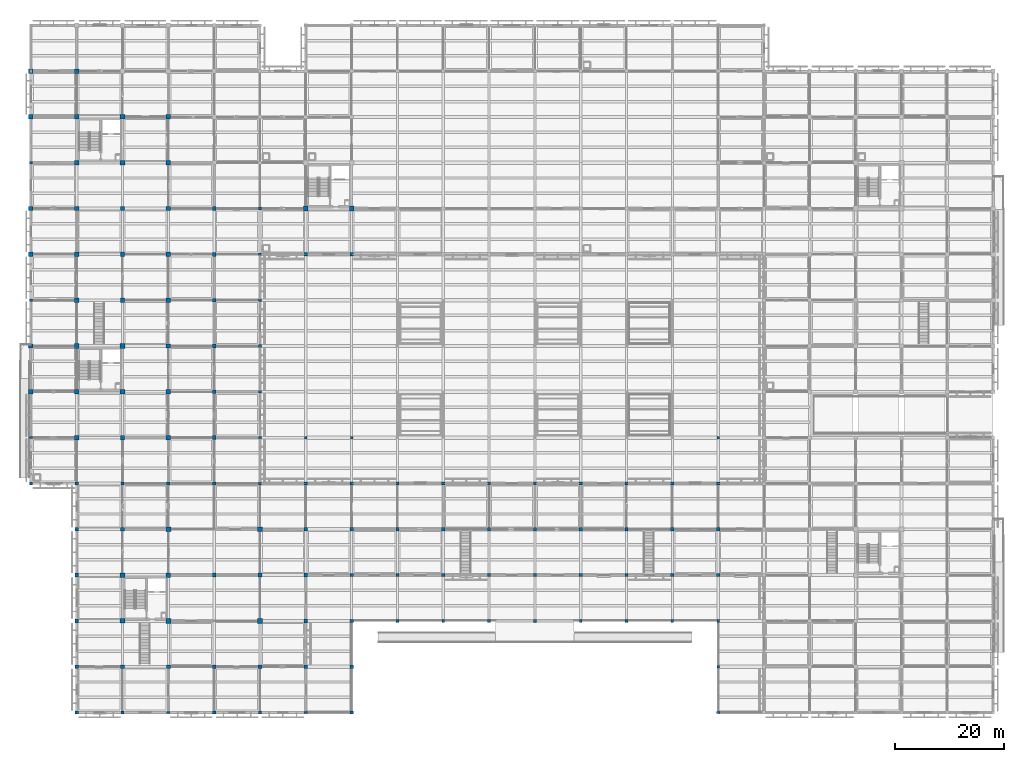
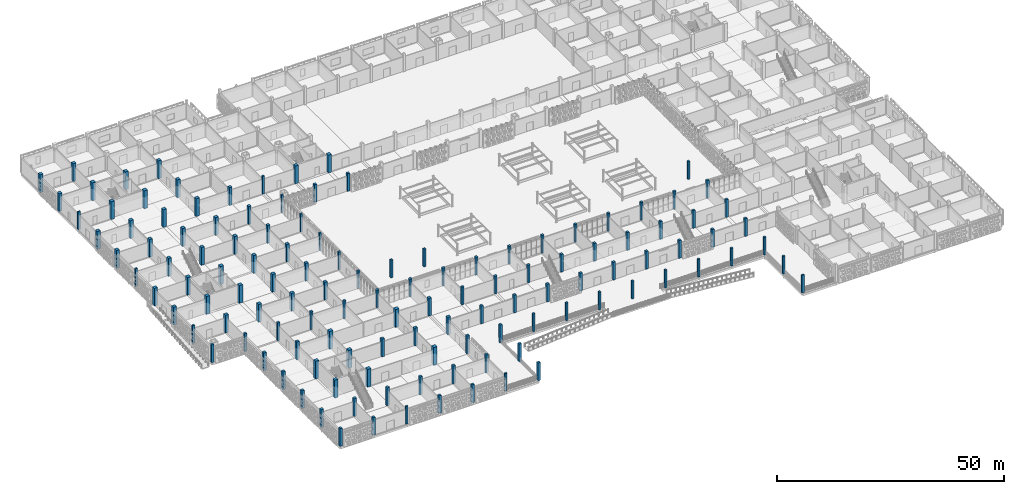
# One storey, part 1 of 129: 128 columns.
"""IFC4 building model written with IfcOpenShell, lengths in metres."""

from ifc_helpers import new_model, si_unit, direction, frame, origin, origin_2d, place, context, subcontext, project, spatial, rectangle, extrude, material, material_profile, profile_set, type_object, element, save


model = new_model("IFC4")

# Units and contexts
model_context = context("Model", 3, precision=1e-05, world=origin(), true_north=direction((0.0, 1.0)))
body_context = subcontext(model_context, "Body", "Model", "MODEL_VIEW")
ifc_project = project(units=[si_unit("LENGTHUNIT", "METRE"), si_unit("AREAUNIT", "SQUARE_METRE"), si_unit("VOLUMEUNIT", "CUBIC_METRE"), si_unit("PLANEANGLEUNIT", "RADIAN"), si_unit("MASSUNIT", "GRAM", prefix="KILO")], contexts=[model_context])

# Site, building, storey
site_placement = place(None, origin())
site = spatial("IfcSite", under=ifc_project, at=site_placement, CompositionType="ELEMENT")
building_placement = place(site_placement, origin())
building = spatial("IfcBuilding", under=site, at=building_placement, Name="Varnapada Polytechnic", CompositionType="ELEMENT")
storey_placement = place(building_placement, origin())
storey = spatial("IfcBuildingStorey", under=building, at=storey_placement, Name="L00", CompositionType="ELEMENT", Elevation=0.0)

# Columns
ifc_material = material(Name="Concrete C40/50", Category="concrete")
ifc_material_profile_1 = material_profile(ifc_material, rectangle(XDim=0.85009765625, YDim=0.85009765625, at=origin_2d()), Name="RC 850x850")
ifc_profile_set_1 = profile_set([ifc_material_profile_1], Name="Concrete C40/50")
column_type_1 = type_object("IfcColumnType", Name="Column C-01 (RC 850x850)", PredefinedType="COLUMN", material=ifc_profile_set_1)
for number, where, z_axis, x_axis, name in (
    (1, (8.39990234375, 58.800048828125, 0.0), (0.0, 0.0, 1.0), (1.0, 0.0, 0.0), "L00 column 2/8"),
    (2, (8.39990234375, 67.199951171875, 0.0), (0.0, 0.0, 1.0), (1.0, 0.0, 0.0), "L00 column 2/9"),
    (3, (8.39990234375, 100.800048828125, 0.0), (0.0, 0.0, 1.0), (1.0, 0.0, 0.0), "L00 column 2/13"),
    (4, (8.39990234375, 109.199951171875, 0.0), (0.0, 0.0, 1.0), (1.0, 0.0, 0.0), "L00 column 2/14"),
    (5, (16.800048828125, 16.800048828125, 0.0), (0.0, 0.0, 1.0), (1.0, 0.0, 0.0), "L00 column 3/3"),
    (6, (16.800048828125, 25.199951171875, 0.0), (0.0, 0.0, 1.0), (1.0, 0.0, 0.0), "L00 column 3/4"),
    (7, (16.800048828125, 58.800048828125, 0.0), (0.0, 0.0, 1.0), (1.0, 0.0, 0.0), "L00 column 3/8"),
    (8, (16.800048828125, 67.199951171875, 0.0), (0.0, 0.0, 1.0), (1.0, 0.0, 0.0), "L00 column 3/9"),
    (9, (16.800048828125, 100.800048828125, 0.0), (0.0, 0.0, 1.0), (1.0, 0.0, 0.0), "L00 column 3/13"),
    (10, (16.800048828125, 109.199951171875, 0.0), (0.0, 0.0, 1.0), (1.0, 0.0, 0.0), "L00 column 3/14"),
    (11, (25.199951171875, 25.199951171875, 0.0), (0.0, 0.0, 1.0), (1.0, 0.0, 0.0), "L00 column 4/4"),
    (12, (50.39990234375, 92.39990234375, 0.0), (0.0, 0.0, 1.0), (1.0, 0.0, 0.0), "L00 column 7/12"),
    (13, (58.800048828125, 92.39990234375, 0.0), (0.0, 0.0, 1.0), (1.0, 0.0, 0.0), "L00 column 8/12"),
):
    element("IfcColumn", number, at=place(storey_placement, frame(where, z_axis=z_axis, x_axis=x_axis)), inside=storey, type_object=column_type_1, Name=name, PredefinedType="COLUMN", context=body_context, shape_type="SweptSolid", body=[
        extrude(rectangle(XDim=0.85009765625, YDim=0.85009765625, at=origin_2d()), origin(), (0.0, 0.0, 1.0), 4.800048828125),
    ])
ifc_material_profile_2 = material_profile(ifc_material, rectangle(XDim=0.60009765625, YDim=0.39990234375, at=origin_2d()), Name="RC 600x400")
ifc_profile_set_2 = profile_set([ifc_material_profile_2], Name="Concrete C40/50")
column_type_2 = type_object("IfcColumnType", Name="Column C-05 (RC 600x400)", PredefinedType="PILASTER", material=ifc_profile_set_2)
for number, where, z_axis, x_axis, name in (
    (14, (0.0, 50.39990234375, 0.0), (0.0, 0.0, 1.0), (1.0, 0.0, 0.0), "L00 column 1/7"),
    (15, (0.0, 75.60009765625, 0.0), (0.0, 0.0, 1.0), (1.0, 0.0, 0.0), "L00 column 1/10"),
    (16, (0.0, 100.800048828125, 0.0), (0.0, 0.0, 1.0), (1.0, 0.0, 0.0), "L00 column 1/13"),
    (17, (25.199951171875, 0.0, 0.0), (0.0, 0.0, 1.0), (1.0, 0.0, 0.0), "L00 column 4/1"),
    (18, (50.39990234375, 0.0, 0.0), (0.0, 0.0, 1.0), (1.0, 0.0, 0.0), "L00 column 7/1"),
    (19, (126.0, 0.0, 0.0), (0.0, 0.0, 1.0), (1.0, 0.0, 0.0), "L00 column 16/1"),
):
    element("IfcColumn", number, at=place(storey_placement, frame(where, z_axis=z_axis, x_axis=x_axis)), inside=storey, type_object=column_type_2, Name=name, PredefinedType="PILASTER", context=body_context, shape_type="SweptSolid", body=[
        extrude(rectangle(XDim=0.60009765625, YDim=0.39990234375, at=origin_2d()), origin(), (0.0, 0.0, 1.0), 4.800048828125),
    ])
ifc_material_profile_3 = material_profile(ifc_material, rectangle(XDim=0.800048828125, YDim=0.800048828125, at=origin_2d()), Name="RC 800x800")
ifc_profile_set_3 = profile_set([ifc_material_profile_3], Name="Concrete C40/50")
column_type_3 = type_object("IfcColumnType", Name="Column C-16 (RC 800x800)", PredefinedType="COLUMN", material=ifc_profile_set_3)
for number, where, z_axis, x_axis, name in (
    (20, (0.0, 58.800048828125, 0.0), (0.0, 0.0, 1.0), (1.0, 0.0, 0.0), "L00 column 1/8"),
    (21, (0.0, 67.199951171875, 0.0), (0.0, 0.0, 1.0), (1.0, 0.0, 0.0), "L00 column 1/9"),
    (22, (0.0, 84.0, 0.0), (0.0, 0.0, 1.0), (1.0, 0.0, 0.0), "L00 column 1/11"),
    (23, (0.0, 92.39990234375, 0.0), (0.0, 0.0, 1.0), (1.0, 0.0, 0.0), "L00 column 1/12"),
    (24, (0.0, 109.199951171875, 0.0), (0.0, 0.0, 1.0), (1.0, 0.0, 0.0), "L00 column 1/14"),
    (25, (0.0, 117.60009765625, 0.0), (0.0, 0.0, 1.0), (1.0, 0.0, 0.0), "L00 column 1/15"),
    (26, (8.39990234375, 50.39990234375, 0.0), (0.0, 0.0, 1.0), (1.0, 0.0, 0.0), "L00 column 2/7"),
    (27, (8.39990234375, 75.60009765625, 0.0), (0.0, 0.0, 1.0), (1.0, 0.0, 0.0), "L00 column 2/10"),
    (28, (8.39990234375, 84.0, 0.0), (0.0, 0.0, 1.0), (1.0, 0.0, 0.0), "L00 column 2/11"),
    (29, (8.39990234375, 92.39990234375, 0.0), (0.0, 0.0, 1.0), (1.0, 0.0, 0.0), "L00 column 2/12"),
    (30, (8.39990234375, 117.60009765625, 0.0), (0.0, 0.0, 1.0), (1.0, 0.0, 0.0), "L00 column 2/15"),
    (31, (16.800048828125, 50.39990234375, 0.0), (0.0, 0.0, 1.0), (1.0, 0.0, 0.0), "L00 column 3/7"),
    (32, (16.800048828125, 75.60009765625, 0.0), (0.0, 0.0, 1.0), (1.0, 0.0, 0.0), "L00 column 3/10"),
    (33, (16.800048828125, 84.0, 0.0), (0.0, 0.0, 1.0), (1.0, 0.0, 0.0), "L00 column 3/11"),
    (34, (16.800048828125, 92.39990234375, 0.0), (0.0, 0.0, 1.0), (1.0, 0.0, 0.0), "L00 column 3/12"),
    (35, (25.199951171875, 50.39990234375, 0.0), (0.0, 0.0, 1.0), (1.0, 0.0, 0.0), "L00 column 4/7"),
    (36, (25.199951171875, 58.800048828125, 0.0), (0.0, 0.0, 1.0), (1.0, 0.0, 0.0), "L00 column 4/8"),
    (37, (25.199951171875, 67.199951171875, 0.0), (0.0, 0.0, 1.0), (1.0, 0.0, 0.0), "L00 column 4/9"),
    (38, (25.199951171875, 75.60009765625, 0.0), (0.0, 0.0, 1.0), (1.0, 0.0, 0.0), "L00 column 4/10"),
    (39, (25.199951171875, 84.0, 0.0), (0.0, 0.0, 1.0), (1.0, 0.0, 0.0), "L00 column 4/11"),
    (40, (25.199951171875, 92.39990234375, 0.0), (0.0, 0.0, 1.0), (1.0, 0.0, 0.0), "L00 column 4/12"),
    (41, (25.199951171875, 100.800048828125, 0.0), (0.0, 0.0, 1.0), (1.0, 0.0, 0.0), "L00 column 4/13"),
    (42, (25.199951171875, 109.199951171875, 0.0), (0.0, 0.0, 1.0), (1.0, 0.0, 0.0), "L00 column 4/14"),
):
    element("IfcColumn", number, at=place(storey_placement, frame(where, z_axis=z_axis, x_axis=x_axis)), inside=storey, type_object=column_type_3, Name=name, PredefinedType="COLUMN", context=body_context, shape_type="SweptSolid", body=[
        extrude(rectangle(XDim=0.800048828125, YDim=0.800048828125, at=origin_2d()), origin(), (0.0, 0.0, 1.0), 4.800048828125),
    ])
ifc_material_profile_4 = material_profile(ifc_material, rectangle(XDim=0.699951171875, YDim=0.699951171875, at=origin_2d()), Name="RC 700x700")
ifc_profile_set_4 = profile_set([ifc_material_profile_4], Name="Concrete C40/50")
column_type_4 = type_object("IfcColumnType", Name="Column C-17 (RC 700x700)", PredefinedType="COLUMN", material=ifc_profile_set_4)
for number, where, z_axis, x_axis, name in (
    (43, (8.39990234375, 8.39990234375, 0.0), (0.0, 0.0, 1.0), (1.0, 0.0, 0.0), "L00 column 2/2"),
    (44, (8.39990234375, 16.800048828125, 0.0), (0.0, 0.0, 1.0), (1.0, 0.0, 0.0), "L00 column 2/3"),
    (45, (8.39990234375, 25.199951171875, 0.0), (0.0, 0.0, 1.0), (1.0, 0.0, 0.0), "L00 column 2/4"),
    (46, (8.39990234375, 33.60009765625, 0.0), (0.0, 0.0, 1.0), (1.0, 0.0, 0.0), "L00 column 2/5"),
    (47, (16.800048828125, 8.39990234375, 0.0), (0.0, 0.0, 1.0), (1.0, 0.0, 0.0), "L00 column 3/2"),
    (48, (16.800048828125, 33.60009765625, 0.0), (0.0, 0.0, 1.0), (1.0, 0.0, 0.0), "L00 column 3/5"),
    (49, (25.199951171875, 8.39990234375, 0.0), (0.0, 0.0, 1.0), (1.0, 0.0, 0.0), "L00 column 4/2"),
    (50, (33.60009765625, 8.39990234375, 0.0), (0.0, 0.0, 1.0), (1.0, 0.0, 0.0), "L00 column 5/2"),
    (51, (33.60009765625, 25.199951171875, 0.0), (0.0, 0.0, 1.0), (1.0, 0.0, 0.0), "L00 column 5/4"),
    (52, (33.60009765625, 50.39990234375, 0.0), (0.0, 0.0, 1.0), (1.0, 0.0, 0.0), "L00 column 5/7"),
    (53, (33.60009765625, 58.800048828125, 0.0), (0.0, 0.0, 1.0), (1.0, 0.0, 0.0), "L00 column 5/8"),
    (54, (33.60009765625, 67.199951171875, 0.0), (0.0, 0.0, 1.0), (1.0, 0.0, 0.0), "L00 column 5/9"),
    (55, (33.60009765625, 75.60009765625, 0.0), (0.0, 0.0, 1.0), (1.0, 0.0, 0.0), "L00 column 5/10"),
    (56, (33.60009765625, 84.0, 0.0), (0.0, 0.0, 1.0), (1.0, 0.0, 0.0), "L00 column 5/11"),
    (57, (33.60009765625, 92.39990234375, 0.0), (0.0, 0.0, 1.0), (1.0, 0.0, 0.0), "L00 column 5/12"),
    (58, (42.0, 8.39990234375, 0.0), (0.0, 0.0, 1.0), (1.0, 0.0, 0.0), "L00 column 6/2"),
    (59, (42.0, 25.199951171875, 0.0), (0.0, 0.0, 1.0), (1.0, 0.0, 0.0), "L00 column 6/4"),
    (60, (50.39990234375, 8.39990234375, 0.0), (0.0, 0.0, 1.0), (1.0, 0.0, 0.0), "L00 column 7/2"),
    (61, (50.39990234375, 16.800048828125, 0.0), (0.0, 0.0, 1.0), (1.0, 0.0, 0.0), "L00 column 7/3"),
    (62, (50.39990234375, 25.199951171875, 0.0), (0.0, 0.0, 1.0), (1.0, 0.0, 0.0), "L00 column 7/4"),
    (63, (50.39990234375, 33.60009765625, 0.0), (0.0, 0.0, 1.0), (1.0, 0.0, 0.0), "L00 column 7/5"),
):
    element("IfcColumn", number, at=place(storey_placement, frame(where, z_axis=z_axis, x_axis=x_axis)), inside=storey, type_object=column_type_4, Name=name, PredefinedType="COLUMN", context=body_context, shape_type="SweptSolid", body=[
        extrude(rectangle(XDim=0.699951171875, YDim=0.699951171875, at=origin_2d()), origin(), (0.0, 0.0, 1.0), 4.800048828125),
    ])
ifc_material_profile_5 = material_profile(ifc_material, rectangle(XDim=0.60009765625, YDim=0.60009765625, at=origin_2d()), Name="RC 600x600")
ifc_profile_set_5 = profile_set([ifc_material_profile_5], Name="Concrete C40/50")
column_type_5 = type_object("IfcColumnType", Name="Column C-18 (RC 600x600)", PredefinedType="COLUMN", material=ifc_profile_set_5)
for number, where, z_axis, x_axis, name in (
    (64, (0.0, 42.0, 0.0), (0.0, 0.0, 1.0), (1.0, 0.0, 0.0), "L00 column 1/6"),
    (65, (8.39990234375, 0.0, 0.0), (0.0, 0.0, 1.0), (1.0, 0.0, 0.0), "L00 column 2/1"),
    (66, (8.39990234375, 42.0, 0.0), (0.0, 0.0, 1.0), (1.0, 0.0, 0.0), "L00 column 2/6"),
    (67, (16.800048828125, 0.0, 0.0), (0.0, 0.0, 1.0), (1.0, 0.0, 0.0), "L00 column 3/1"),
    (68, (16.800048828125, 42.0, 0.0), (0.0, 0.0, 1.0), (1.0, 0.0, 0.0), "L00 column 3/6"),
    (69, (25.199951171875, 42.0, 0.0), (0.0, 0.0, 1.0), (1.0, 0.0, 0.0), "L00 column 4/6"),
    (70, (33.60009765625, 0.0, 0.0), (0.0, 0.0, 1.0), (1.0, 0.0, 0.0), "L00 column 5/1"),
    (71, (33.60009765625, 42.0, 0.0), (0.0, 0.0, 1.0), (1.0, 0.0, 0.0), "L00 column 5/6"),
    (72, (42.0, 0.0, 0.0), (0.0, 0.0, 1.0), (1.0, 0.0, 0.0), "L00 column 6/1"),
    (73, (42.0, 42.0, 0.0), (0.0, 0.0, 1.0), (1.0, 0.0, 0.0), "L00 column 6/6"),
    (74, (50.39990234375, 42.0, 0.0), (0.0, 0.0, 1.0), (1.0, 0.0, 0.0), "L00 column 7/6"),
    (75, (50.39990234375, 84.0, 0.0), (0.0, 0.0, 1.0), (1.0, 0.0, 0.0), "L00 column 7/11"),
    (76, (58.800048828125, 0.0, 0.0), (0.0, 0.0, 1.0), (1.0, 0.0, 0.0), "L00 column 8/1"),
    (77, (58.800048828125, 8.39990234375, 0.0), (0.0, 0.0, 1.0), (1.0, 0.0, 0.0), "L00 column 8/2"),
    (78, (58.800048828125, 16.800048828125, 0.0), (0.0, 0.0, 1.0), (1.0, 0.0, 0.0), "L00 column 8/3"),
    (79, (58.800048828125, 25.199951171875, 0.0), (0.0, 0.0, 1.0), (1.0, 0.0, 0.0), "L00 column 8/4"),
    (80, (58.800048828125, 33.60009765625, 0.0), (0.0, 0.0, 1.0), (1.0, 0.0, 0.0), "L00 column 8/5"),
    (81, (58.800048828125, 42.0, 0.0), (0.0, 0.0, 1.0), (1.0, 0.0, 0.0), "L00 column 8/6"),
    (82, (58.800048828125, 84.0, 0.0), (0.0, 0.0, 1.0), (1.0, 0.0, 0.0), "L00 column 8/11"),
    (83, (67.199951171875, 25.199951171875, 0.0), (0.0, 0.0, 1.0), (1.0, 0.0, 0.0), "L00 column 9/4"),
    (84, (67.199951171875, 33.60009765625, 0.0), (0.0, 0.0, 1.0), (1.0, 0.0, 0.0), "L00 column 9/5"),
    (85, (67.199951171875, 42.0, 0.0), (0.0, 0.0, 1.0), (1.0, 0.0, 0.0), "L00 column 9/6"),
    (86, (75.60009765625, 25.199951171875, 0.0), (0.0, 0.0, 1.0), (1.0, 0.0, 0.0), "L00 column 10/4"),
    (87, (75.60009765625, 33.60009765625, 0.0), (0.0, 0.0, 1.0), (1.0, 0.0, 0.0), "L00 column 10/5"),
    (88, (75.60009765625, 42.0, 0.0), (0.0, 0.0, 1.0), (1.0, 0.0, 0.0), "L00 column 10/6"),
    (89, (84.0, 25.199951171875, 0.0), (0.0, 0.0, 1.0), (1.0, 0.0, 0.0), "L00 column 11/4"),
    (90, (84.0, 33.60009765625, 0.0), (0.0, 0.0, 1.0), (1.0, 0.0, 0.0), "L00 column 11/5"),
    (91, (84.0, 42.0, 0.0), (0.0, 0.0, 1.0), (1.0, 0.0, 0.0), "L00 column 11/6"),
    (92, (92.39990234375, 25.199951171875, 0.0), (0.0, 0.0, 1.0), (1.0, 0.0, 0.0), "L00 column 12/4"),
    (93, (92.39990234375, 33.60009765625, 0.0), (0.0, 0.0, 1.0), (1.0, 0.0, 0.0), "L00 column 12/5"),
    (94, (92.39990234375, 42.0, 0.0), (0.0, 0.0, 1.0), (1.0, 0.0, 0.0), "L00 column 12/6"),
    (95, (100.800048828125, 25.199951171875, 0.0), (0.0, 0.0, 1.0), (1.0, 0.0, 0.0), "L00 column 13/4"),
    (96, (100.800048828125, 33.60009765625, 0.0), (0.0, 0.0, 1.0), (1.0, 0.0, 0.0), "L00 column 13/5"),
    (97, (100.800048828125, 42.0, 0.0), (0.0, 0.0, 1.0), (1.0, 0.0, 0.0), "L00 column 13/6"),
    (98, (109.199951171875, 25.199951171875, 0.0), (0.0, 0.0, 1.0), (1.0, 0.0, 0.0), "L00 column 14/4"),
    (99, (109.199951171875, 33.60009765625, 0.0), (0.0, 0.0, 1.0), (1.0, 0.0, 0.0), "L00 column 14/5"),
    (100, (109.199951171875, 42.0, 0.0), (0.0, 0.0, 1.0), (1.0, 0.0, 0.0), "L00 column 14/6"),
    (101, (117.60009765625, 25.199951171875, 0.0), (0.0, 0.0, 1.0), (1.0, 0.0, 0.0), "L00 column 15/4"),
    (102, (117.60009765625, 33.60009765625, 0.0), (0.0, 0.0, 1.0), (1.0, 0.0, 0.0), "L00 column 15/5"),
    (103, (117.60009765625, 42.0, 0.0), (0.0, 0.0, 1.0), (1.0, 0.0, 0.0), "L00 column 15/6"),
    (104, (126.0, 25.199951171875, 0.0), (0.0, 0.0, 1.0), (1.0, 0.0, 0.0), "L00 column 16/4"),
    (105, (126.0, 33.60009765625, 0.0), (0.0, 0.0, 1.0), (1.0, 0.0, 0.0), "L00 column 16/5"),
    (106, (126.0, 42.0, 0.0), (0.0, 0.0, 1.0), (1.0, 0.0, 0.0), "L00 column 16/6"),
):
    element("IfcColumn", number, at=place(storey_placement, frame(where, z_axis=z_axis, x_axis=x_axis)), inside=storey, type_object=column_type_5, Name=name, PredefinedType="COLUMN", context=body_context, shape_type="SweptSolid", body=[
        extrude(rectangle(XDim=0.60009765625, YDim=0.60009765625, at=origin_2d()), origin(), (0.0, 0.0, 1.0), 4.800048828125),
    ])
ifc_material_profile_6 = material_profile(ifc_material, rectangle(XDim=0.89990234375, YDim=0.89990234375, at=origin_2d()), Name="RC 900x900")
ifc_profile_set_6 = profile_set([ifc_material_profile_6], Name="Concrete C40/50")
column_type_6 = type_object("IfcColumnType", Name="Column C-28 (RC 900x900)", PredefinedType="COLUMN", material=ifc_profile_set_6)
for number, where, z_axis, x_axis, name in (
    (107, (25.199951171875, 16.800048828125, 0.0), (0.0, 0.0, 1.0), (1.0, 0.0, 0.0), "L00 column 4/3"),
    (108, (25.199951171875, 33.60009765625, 0.0), (0.0, 0.0, 1.0), (1.0, 0.0, 0.0), "L00 column 4/5"),
    (109, (42.0, 16.800048828125, 0.0), (0.0, 0.0, 1.0), (1.0, 0.0, 0.0), "L00 column 6/3"),
    (110, (42.0, 33.60009765625, 0.0), (0.0, 0.0, 1.0), (1.0, 0.0, 0.0), "L00 column 6/5"),
):
    element("IfcColumn", number, at=place(storey_placement, frame(where, z_axis=z_axis, x_axis=x_axis)), inside=storey, type_object=column_type_6, Name=name, PredefinedType="COLUMN", context=body_context, shape_type="SweptSolid", body=[
        extrude(rectangle(XDim=0.89990234375, YDim=0.89990234375, at=origin_2d()), origin(), (0.0, 0.0, 1.0), 4.800048828125),
    ])
ifc_material_profile_7 = material_profile(ifc_material, rectangle(XDim=0.5, YDim=0.5, at=origin_2d()), Name="RC 500x500")
ifc_profile_set_7 = profile_set([ifc_material_profile_7], Name="Concrete C40/50")
column_type_7 = type_object("IfcColumnType", Name="Column C-29 (RC 500x500)", PredefinedType="COLUMN", material=ifc_profile_set_7)
for number, where, z_axis, x_axis, name in (
    (111, (42.0, 50.39990234375, 0.0), (0.0, 0.0, 1.0), (1.0, 0.0, 0.0), "L00 column 6/7"),
    (112, (42.0, 58.800048828125, 0.0), (0.0, 0.0, 1.0), (1.0, 0.0, 0.0), "L00 column 6/8"),
    (113, (42.0, 67.199951171875, 0.0), (0.0, 0.0, 1.0), (1.0, 0.0, 0.0), "L00 column 6/9"),
    (114, (42.0, 75.60009765625, 0.0), (0.0, 0.0, 1.0), (1.0, 0.0, 0.0), "L00 column 6/10"),
    (115, (42.0, 84.0, 0.0), (0.0, 0.0, 1.0), (1.0, 0.0, 0.0), "L00 column 6/11"),
    (116, (42.0, 92.39990234375, 0.0), (0.0, 0.0, 1.0), (1.0, 0.0, 0.0), "L00 column 6/12"),
    (117, (50.39990234375, 50.39990234375, 0.0), (0.0, 0.0, 1.0), (1.0, 0.0, 0.0), "L00 column 7/7"),
    (118, (58.800048828125, 50.39990234375, 0.0), (0.0, 0.0, 1.0), (1.0, 0.0, 0.0), "L00 column 8/7"),
    (119, (67.199951171875, 16.800048828125, 0.0), (0.0, 0.0, 1.0), (1.0, 0.0, 0.0), "L00 column 9/3"),
    (120, (75.60009765625, 16.800048828125, 0.0), (0.0, 0.0, 1.0), (1.0, 0.0, 0.0), "L00 column 10/3"),
    (121, (84.0, 16.800048828125, 0.0), (0.0, 0.0, 1.0), (1.0, 0.0, 0.0), "L00 column 11/3"),
    (122, (92.39990234375, 16.800048828125, 0.0), (0.0, 0.0, 1.0), (1.0, 0.0, 0.0), "L00 column 12/3"),
    (123, (100.800048828125, 16.800048828125, 0.0), (0.0, 0.0, 1.0), (1.0, 0.0, 0.0), "L00 column 13/3"),
    (124, (109.199951171875, 16.800048828125, 0.0), (0.0, 0.0, 1.0), (1.0, 0.0, 0.0), "L00 column 14/3"),
    (125, (117.60009765625, 16.800048828125, 0.0), (0.0, 0.0, 1.0), (1.0, 0.0, 0.0), "L00 column 15/3"),
    (126, (126.0, 8.39990234375, 0.0), (0.0, 0.0, 1.0), (1.0, 0.0, 0.0), "L00 column 16/2"),
    (127, (126.0, 16.800048828125, 0.0), (0.0, 0.0, 1.0), (1.0, 0.0, 0.0), "L00 column 16/3"),
    (128, (126.0, 50.39990234375, 0.0), (0.0, 0.0, 1.0), (1.0, 0.0, 0.0), "L00 column 16/7"),
):
    element("IfcColumn", number, at=place(storey_placement, frame(where, z_axis=z_axis, x_axis=x_axis)), inside=storey, type_object=column_type_7, Name=name, PredefinedType="COLUMN", context=body_context, shape_type="SweptSolid", body=[
        extrude(rectangle(XDim=0.5, YDim=0.5, at=origin_2d()), origin(), (0.0, 0.0, 1.0), 4.800048828125),
    ])

save(model, "model.ifc")
